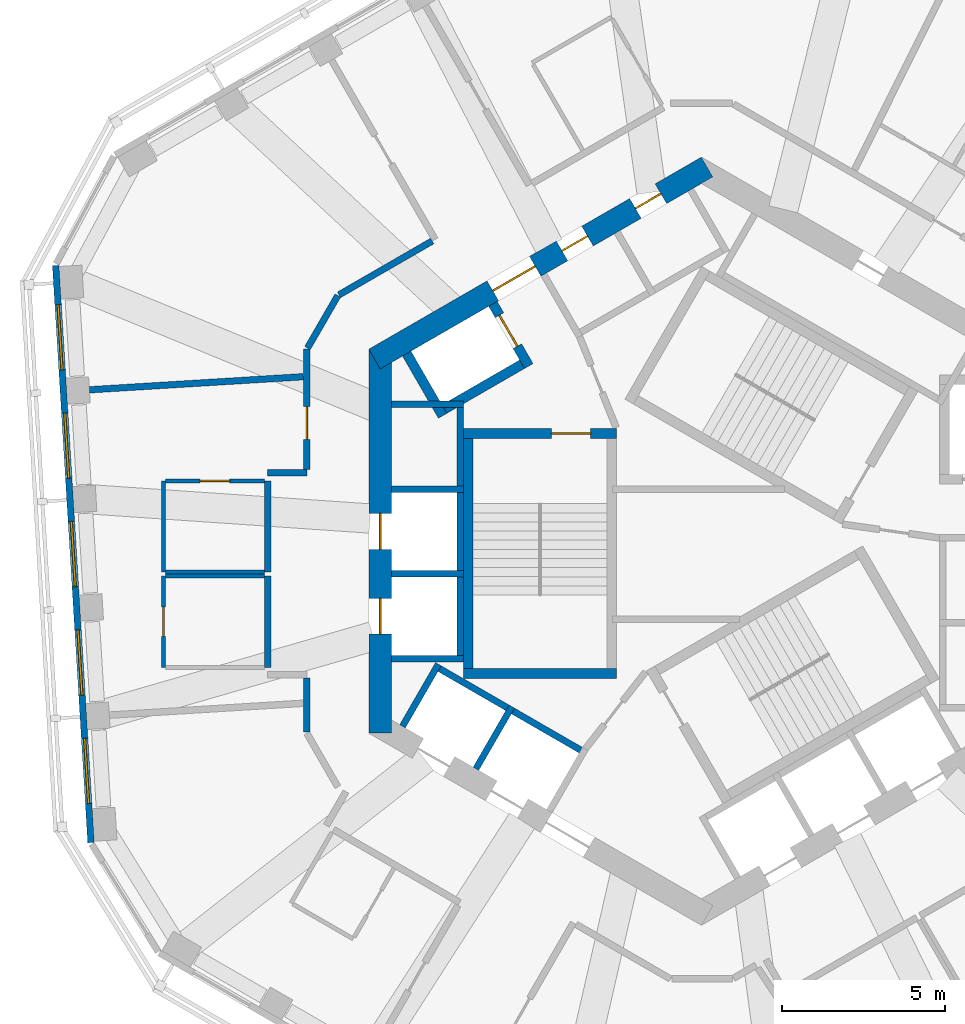
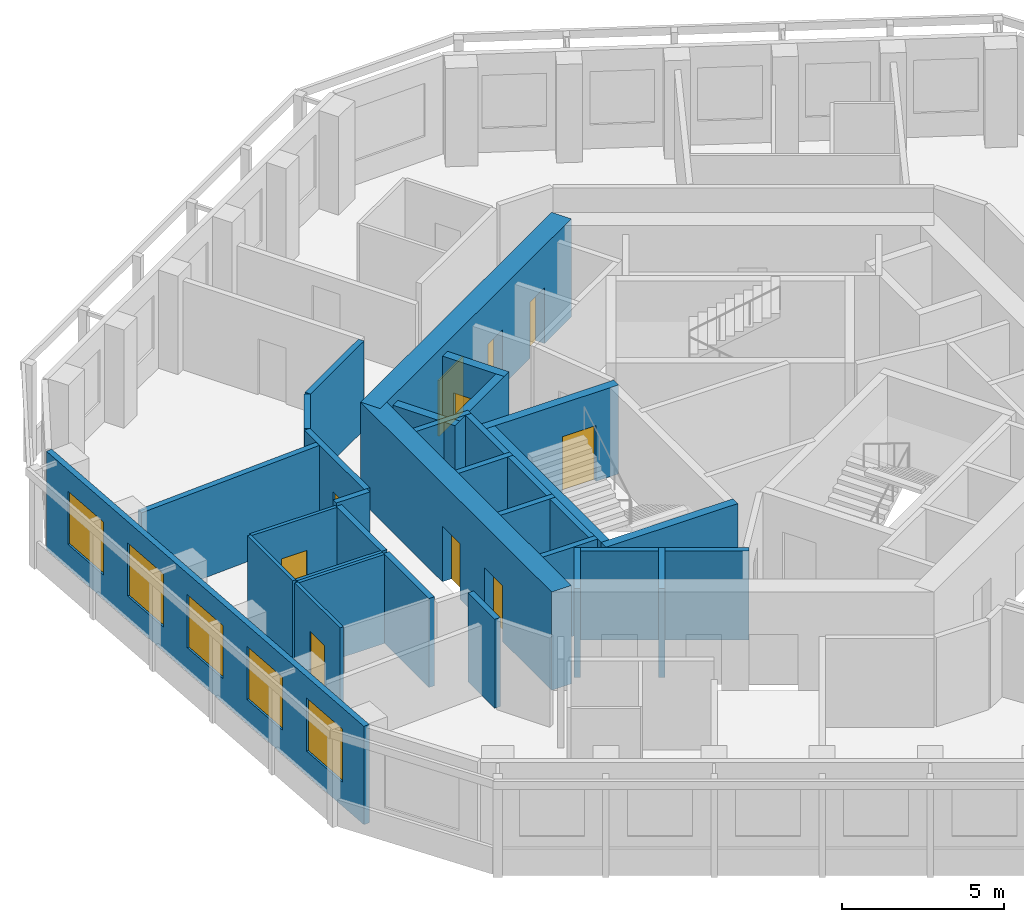
# One storey, part 5 of 11: 30 walls, 10 doors, 5 windows, 15 openings.
"""IFC4 building model written with IfcOpenShell, lengths in metres."""

import ifcopenshell
import ifcopenshell.guid

model = None  # the IFC model being written
_history = None  # IfcOwnerHistory: only IFC2X3 demands one
_inside = {}  # id of a spatial element -> (the spatial element, [elements in it])
_under = {}  # id of a project, library or spatial element -> (it, [spatial elements below it])
_declared = {}  # id of a project -> (the project, [libraries it declares])
_typed = {}  # id of a type object -> (the type object, [elements of that type])
_made_of = {}  # id of a material, layer set ... -> (it, [elements and type objects made of it])


def new_model(schema):
    """Start an empty IFC model of exactly this schema.

    Asked for "IFC4X3", IfcOpenShell would pick the latest addendum, in which some entities
    have other attributes; the version numbers below select the first issue.
    IFC2X3 requires an IfcOwnerHistory on every rooted entity: one is made here for all.
    """
    global model, _history
    if schema == "IFC4X3":
        model = ifcopenshell.file(schema_version=(4, 3, 0, 0))
    else:
        model = ifcopenshell.file(schema=schema)
    _inside.clear()
    _under.clear()
    _declared.clear()
    _typed.clear()
    _made_of.clear()
    _history = None
    if model.schema == "IFC2X3":
        org = make("IfcOrganization", Name="unknown")
        user = make(
            "IfcPersonAndOrganization",
            ThePerson=make("IfcPerson", FamilyName="unknown"),
            TheOrganization=org,
        )
        app = make(
            "IfcApplication",
            ApplicationDeveloper=org,
            Version="unknown",
            ApplicationFullName="unknown",
            ApplicationIdentifier="unknown",
        )
        _history = make(
            "IfcOwnerHistory",
            OwningUser=user,
            OwningApplication=app,
            ChangeAction="ADDED",
            CreationDate=0,
        )
    return model


def make(cls, **values):
    """One entity of the class cls with the attributes given. An attribute that is None is left unset."""
    return model.create_entity(
        cls, **{name: value for name, value in values.items() if value is not None}
    )


def rooted(cls, **values):
    """An entity with a GlobalId (a new one), such as an element, a storey or a relation."""
    return make(cls, GlobalId=ifcopenshell.guid.new(), OwnerHistory=_history, **values)


def si_unit(unit_type, name, prefix=None):
    """IfcSIUnit, for example si_unit("LENGTHUNIT", "METRE", prefix="MILLI")."""
    return make("IfcSIUnit", UnitType=unit_type, Prefix=prefix, Name=name)


def assignment(units):
    """IfcUnitAssignment: the units of a project."""
    return None if units is None else make("IfcUnitAssignment", Units=units)


def point(xyz):
    """IfcCartesianPoint."""
    return None if xyz is None else make("IfcCartesianPoint", Coordinates=xyz)


def direction(xyz):
    """IfcDirection."""
    return None if xyz is None else make("IfcDirection", DirectionRatios=xyz)


def frame(location, z_axis=None, x_axis=None):
    """IfcAxis2Placement3D, a coordinate frame: its origin and axes. An axis left out is left unset."""
    return make(
        "IfcAxis2Placement3D",
        Location=point(location),
        Axis=direction(z_axis),
        RefDirection=direction(x_axis),
    )


def frame_2d(location, x_axis=None):
    """IfcAxis2Placement2D, a coordinate frame in the plane: its origin and x axis."""
    return make(
        "IfcAxis2Placement2D", Location=point(location), RefDirection=direction(x_axis)
    )


def origin():
    """The frame at (0, 0, 0) with its axes left unset."""
    return frame((0.0, 0.0, 0.0))


def place(relative_to, where):
    """IfcLocalPlacement: puts the frame where relative to a parent placement (None: the world)."""
    return make(
        "IfcLocalPlacement", PlacementRelTo=relative_to, RelativePlacement=where
    )


def context(
    kind, dimensions, precision=None, world=None, true_north=None, identifier=None
):
    """IfcGeometricRepresentationContext, for example the 3D "Model" context."""
    return make(
        "IfcGeometricRepresentationContext",
        ContextIdentifier=identifier,
        ContextType=kind,
        CoordinateSpaceDimension=dimensions,
        Precision=precision,
        WorldCoordinateSystem=world,
        TrueNorth=true_north,
    )


def subcontext(parent, identifier, kind, view, scale=None):
    """IfcGeometricRepresentationSubContext, for example "Body" below "Model"."""
    return make(
        "IfcGeometricRepresentationSubContext",
        ContextIdentifier=identifier,
        ContextType=kind,
        ParentContext=parent,
        TargetScale=scale,
        TargetView=view,
    )


def project(units=None, contexts=None):
    """IfcProject with its units and contexts."""
    return rooted(
        "IfcProject",
        Name="project",
        RepresentationContexts=contexts,
        UnitsInContext=assignment(units),
    )


def spatial(cls, under=None, at=None, **own):
    """A site, building, storey or space (cls), placed at a placement, below another one or the project."""
    s = rooted(cls, ObjectPlacement=at, **own)
    if under is not None:
        _under.setdefault(under.id(), (under, []))[1].append(s)
    return s


def profile(cls, at=None, kind="AREA", **sizes):
    """A parametric profile (cls). Its sizes go by their IFC names, for example OverallWidth=200.0."""
    return make(cls, ProfileType=kind, Position=at, **sizes)


def rectangle(**sizes):
    """IfcRectangleProfileDef."""
    return profile("IfcRectangleProfileDef", **sizes)


def extrude(swept, where, along, depth):
    """IfcExtrudedAreaSolid: the profile swept, set in the frame where, extruded along a direction by depth."""
    return make(
        "IfcExtrudedAreaSolid",
        SweptArea=swept,
        Position=where,
        ExtrudedDirection=direction(along),
        Depth=depth,
    )


def shape(context_of_items, identifier, shape_type, items):
    """IfcShapeRepresentation: the items that make up one representation, for example the "Body"."""
    return make(
        "IfcShapeRepresentation",
        ContextOfItems=context_of_items,
        RepresentationIdentifier=identifier,
        RepresentationType=shape_type,
        Items=items,
    )


def material(Name=None, Category=None):
    """IfcMaterial."""
    return make("IfcMaterial", Name=Name, Category=Category)


def layer(
    of_material, thickness, ventilated=None, Name=None, Category=None, Priority=None
):
    """IfcMaterialLayer: one layer of a wall or slab, of a material (None: an air gap)."""
    return make(
        "IfcMaterialLayer",
        Material=of_material,
        LayerThickness=thickness,
        IsVentilated=ventilated,
        Name=Name,
        Category=Category,
        Priority=Priority,
    )


def layer_set(layers, Name=None):
    """IfcMaterialLayerSet."""
    return make("IfcMaterialLayerSet", MaterialLayers=layers, LayerSetName=Name)


def made_of(thing, what):
    """Note that an element or type object is made of a material, layer set ...; save() writes the relation."""
    if what is not None:
        _made_of.setdefault(what.id(), (what, []))[1].append(thing)
    return thing


def type_object(cls, material=None, **own):
    """A type object (cls), such as IfcWallType, which elements share."""
    return made_of(rooted(cls, **own), material)


def element(
    cls,
    number,
    at=None,
    inside=None,
    cuts=None,
    type_object=None,
    material=None,
    context=None,
    identifier="Body",
    shape_type=None,
    held_by="IfcProductDefinitionShape",
    body=None,
    shapes=None,
    **own,
):
    """One element of the class cls, such as IfcWall. Its Tag is "e" and its number.

    at: its placement. inside: the storey or other place that contains it. cuts: it is an
    opening in that element (IfcRelVoidsElement). A single representation is given by context,
    identifier, shape_type and body (its items); several are given by shapes. held_by: the class
    of the entity that holds the representations. save() writes the other relations.
    """
    e = rooted(cls, Tag="e%d" % number, ObjectPlacement=at, **own)
    if body is not None:
        shapes = [shape(context, identifier, shape_type, body)]
    if shapes is not None:
        e.Representation = make(held_by, Representations=shapes)
    if inside is not None:
        _inside.setdefault(inside.id(), (inside, []))[1].append(e)
    if cuts is not None:
        rooted(
            "IfcRelVoidsElement", RelatingBuildingElement=cuts, RelatedOpeningElement=e
        )
    if type_object is not None:
        _typed.setdefault(type_object.id(), (type_object, []))[1].append(e)
    return made_of(e, material)


def fill(opening, filler):
    """IfcRelFillsElement: the door or window that sits in an opening."""
    return rooted(
        "IfcRelFillsElement",
        RelatingOpeningElement=opening,
        RelatedBuildingElement=filler,
    )


def aggregate(whole, parts):
    """IfcRelAggregates: a whole, such as a stair, and the parts it consists of."""
    return rooted("IfcRelAggregates", RelatingObject=whole, RelatedObjects=parts)


def save(model, path):
    """Write the relations noted so far, then the file.

    IfcRelAggregates (storeys below a building ...), IfcRelContainedInSpatialStructure (elements
    in a storey), IfcRelDefinesByType, IfcRelAssociatesMaterial and IfcRelDeclares: one each for
    every whole, place, type object, material and project.
    """
    for whole, parts in _under.values():
        aggregate(whole, parts)
    for where, things in _inside.values():
        rooted(
            "IfcRelContainedInSpatialStructure",
            RelatedElements=things,
            RelatingStructure=where,
        )
    for kind, things in _typed.values():
        rooted("IfcRelDefinesByType", RelatedObjects=things, RelatingType=kind)
    for what, things in _made_of.values():
        rooted("IfcRelAssociatesMaterial", RelatedObjects=things, RelatingMaterial=what)
    for by, libraries in _declared.values():
        rooted("IfcRelDeclares", RelatingContext=by, RelatedDefinitions=libraries)
    model.write(path)


model = new_model("IFC4")

# Units and contexts
model_context = context("Model", 3, precision=1e-05, world=origin(), true_north=direction((0.0, 1.0)))
body_context = subcontext(model_context, "Body", "Model", "MODEL_VIEW")
ifc_project = project(units=[si_unit("LENGTHUNIT", "METRE"), si_unit("AREAUNIT", "SQUARE_METRE"), si_unit("VOLUMEUNIT", "CUBIC_METRE"), si_unit("PLANEANGLEUNIT", "RADIAN"), si_unit("MASSUNIT", "GRAM", prefix="KILO")], contexts=[model_context])

# Site, building, storey
site_placement = place(None, origin())
site = spatial("IfcSite", under=ifc_project, at=site_placement, CompositionType="ELEMENT")
building_placement = place(site_placement, origin())
building = spatial("IfcBuilding", under=site, at=building_placement, Name="Vanh Sen Convention Tower", CompositionType="ELEMENT")
storey_placement = place(building_placement, frame((0.0, 0.0, 274.60009765625)))
storey = spatial("IfcBuildingStorey", under=building, at=storey_placement, Name="L68", CompositionType="ELEMENT", Elevation=274.60009765625)

# Wall, opening, door
ifc_material_1 = material(Name="Moisture-resistant gypsum board on steel studs", Category="steel")
ifc_layer_1 = layer(ifc_material_1, 0.1201171875)
ifc_layer_set_1 = layer_set([ifc_layer_1], Name="Moisture-resistant gypsum board on steel studs")
wall_type_1 = type_object("IfcWallType", Name="Bathroom partition 120", PredefinedType="PARTITIONING", material=ifc_layer_set_1)
wall_1_placement = place(storey_placement, frame((-16.5009765625, -3.868896484375, 0.0), z_axis=(0.0, 0.0, 1.0), x_axis=(0.0, 1.0, 0.0)))
wall_1 = element("IfcWall", 1, at=wall_1_placement, inside=storey, type_object=wall_type_1, Name="Bathroom partition 120", PredefinedType="PARTITIONING", context=body_context, shape_type="SweptSolid", body=[
    extrude(rectangle(XDim=2.7998046875, YDim=0.1201171875, at=frame_2d((1.39990234375, 0.0))), origin(), (0.0, 0.0, 1.0), 3.349853515625),
])
opening_1_placement = place(wall_1_placement, frame((0.949951171875, 0.0, 0.0)))
opening_1 = element("IfcOpeningElement", 2, at=opening_1_placement, cuts=wall_1, Name="Opening D67111", PredefinedType="OPENING", context=body_context, shape_type="SweptSolid", body=[
    extrude(rectangle(XDim=0.89990234375, YDim=2.10009765625, at=frame_2d((0.449951171875, 1.050048828125))), frame((0.0, 0.070068359375, 0.0), z_axis=(0.0, -1.0, 0.0), x_axis=(1.0, 0.0, 0.0)), (0.0, 0.0, 1.0), 0.14013671875),
])
ifc_material_2 = material(Name="Laminate door in steel frame", Category="steel")
door_type_1 = type_object("IfcDoorType", Name="Room internal door 900", OperationType="SINGLE_SWING_LEFT", PredefinedType="DOOR", material=ifc_material_2)
door_1_placement = place(opening_1_placement, origin())
door_1 = element("IfcDoor", 3, at=door_1_placement, inside=storey, type_object=door_type_1, Name="Internal room door D67111", OperationType="SINGLE_SWING_LEFT", OverallHeight=2.10009765625, OverallWidth=0.89990234375, PredefinedType="DOOR", context=body_context, shape_type="SweptSolid", body=[
    extrude(rectangle(XDim=0.89990234375, YDim=2.10009765625, at=frame_2d((0.449951171875, 1.050048828125))), frame((0.0, 0.02490234375, 0.0), z_axis=(0.0, -1.0, 0.0), x_axis=(1.0, 0.0, 0.0)), (0.0, 0.0, 1.0), 0.050048828125),
])
fill(opening_1, door_1)

# Walls
wall_2_placement = place(storey_placement, frame((-16.5009765625, -0.948974609375, 0.0), z_axis=(0.0, 0.0, 1.0), x_axis=(0.0, 1.0, 0.0)))
element("IfcWall", 4, at=wall_2_placement, inside=storey, type_object=wall_type_1, Name="Bathroom partition 120", PredefinedType="PARTITIONING", context=body_context, shape_type="SweptSolid", body=[
    extrude(rectangle(XDim=2.800048828125, YDim=0.1201171875, at=frame_2d((1.39990234375, 0.0))), origin(), (0.0, 0.0, 1.0), 3.349853515625),
])
wall_3_placement = place(storey_placement, frame((-16.44091796875, -1.069091796875, 0.0), z_axis=(0.0, 0.0, 1.0), x_axis=(1.0, 0.0, 0.0)))
element("IfcWall", 5, at=wall_3_placement, inside=storey, type_object=wall_type_1, Name="Bathroom partition 120", PredefinedType="PARTITIONING", context=body_context, shape_type="SweptSolid", body=[
    extrude(rectangle(XDim=3.0400390625, YDim=0.1201171875, at=frame_2d((1.52001953125, 0.0))), origin(), (0.0, 0.0, 1.0), 3.349853515625),
])

# Wall, opening, door
wall_4_placement = place(storey_placement, frame((-16.44091796875, 1.85107421875, 0.0), z_axis=(0.0, 0.0, 1.0), x_axis=(1.0, 0.0, 0.0)))
wall_4 = element("IfcWall", 6, at=wall_4_placement, inside=storey, type_object=wall_type_1, Name="Bathroom partition 120", PredefinedType="PARTITIONING", context=body_context, shape_type="SweptSolid", body=[
    extrude(rectangle(XDim=3.0400390625, YDim=0.1201171875, at=frame_2d((1.52001953125, 0.0))), origin(), (0.0, 0.0, 1.0), 3.349853515625),
])
opening_2_placement = place(wall_4_placement, frame((1.070068359375, 0.0, 0.0)))
opening_2 = element("IfcOpeningElement", 7, at=opening_2_placement, cuts=wall_4, Name="Opening D67110", PredefinedType="OPENING", context=body_context, shape_type="SweptSolid", body=[
    extrude(rectangle(XDim=0.89990234375, YDim=2.10009765625, at=frame_2d((0.449951171875, 1.050048828125))), frame((0.0, 0.070068359375, 0.0), z_axis=(0.0, -1.0, 0.0), x_axis=(1.0, 0.0, 0.0)), (0.0, 0.0, 1.0), 0.14013671875),
])
door_2_placement = place(opening_2_placement, origin())
door_2 = element("IfcDoor", 8, at=door_2_placement, inside=storey, type_object=door_type_1, Name="Internal room door D67110", OperationType="SINGLE_SWING_LEFT", OverallHeight=2.10009765625, OverallWidth=0.89990234375, PredefinedType="DOOR", context=body_context, shape_type="SweptSolid", body=[
    extrude(rectangle(XDim=0.89990234375, YDim=2.10009765625, at=frame_2d((0.449951171875, 1.050048828125))), frame((0.0, 0.02490234375, 0.0), z_axis=(0.0, -1.0, 0.0), x_axis=(1.0, 0.0, 0.0)), (0.0, 0.0, 1.0), 0.050048828125),
])
fill(opening_2, door_2)

# Wall
wall_5_placement = place(storey_placement, frame((-13.40087890625, -0.948974609375, 0.0), z_axis=(0.0, 0.0, 1.0), x_axis=(-1.0, 0.0, 0.0)))
element("IfcWall", 9, at=wall_5_placement, inside=storey, type_object=wall_type_1, Name="Bathroom partition 120", PredefinedType="PARTITIONING", context=body_context, shape_type="SweptSolid", body=[
    extrude(rectangle(XDim=3.0400390625, YDim=0.1201171875, at=frame_2d((1.52001953125, 0.0))), origin(), (0.0, 0.0, 1.0), 3.349853515625),
])

# Wall, openings, doors
ifc_material_3 = material(Name="Concrete C60/75", Category="concrete")
ifc_layer_2 = layer(ifc_material_3, 0.699951171875)
ifc_layer_set_2 = layer_set([ifc_layer_2], Name="Concrete C60/75")
wall_type_2 = type_object("IfcWallType", Name="Core outer wall 700 C60/75", PredefinedType="SHEAR", material=ifc_layer_set_2)
wall_6_placement = place(storey_placement, frame((0.175048828125, 11.474853515625, 0.0), z_axis=(0.0, 0.0, 1.0), x_axis=(-0.866026453023, -0.499998182661, 0.0)))
wall_6 = element("IfcWall", 10, at=wall_6_placement, inside=storey, type_object=wall_type_2, Name="Core wall face NW L68", PredefinedType="SHEAR", context=body_context, shape_type="SweptSolid", body=[
    extrude(rectangle(XDim=11.77783203125, YDim=0.699951171875, at=frame_2d((5.888916015625, 0.0))), origin(), (0.0, 0.0, 1.0), 3.699951171875),
])
opening_3_placement = place(wall_6_placement, frame((6.089111328125, 0.0, 0.0)))
opening_3 = element("IfcOpeningElement", 11, at=opening_3_placement, cuts=wall_6, Name="Opening D67002", PredefinedType="OPENING", context=body_context, shape_type="SweptSolid", body=[
    extrude(rectangle(XDim=1.5, YDim=2.10009765625, at=frame_2d((0.75, 1.050048828125))), frame((0.0, 0.35986328125, 0.0), z_axis=(0.0, -1.0, 0.0), x_axis=(1.0, 0.0, 0.0)), (0.0, 0.0, 1.0), 0.719970703125),
])
opening_4_placement = place(wall_6_placement, frame((1.638916015625, 0.0, 0.0)))
opening_4 = element("IfcOpeningElement", 12, at=opening_4_placement, cuts=wall_6, Name="Opening D67013", PredefinedType="OPENING", context=body_context, shape_type="SweptSolid", body=[
    extrude(rectangle(XDim=0.89990234375, YDim=2.10009765625, at=frame_2d((0.449951171875, 1.050048828125))), frame((0.0, 0.35986328125, 0.0), z_axis=(0.0, -1.0, 0.0), x_axis=(1.0, 0.0, 0.0)), (0.0, 0.0, 1.0), 0.719970703125),
])
opening_5_placement = place(wall_6_placement, frame((4.239013671875, 0.0, 0.0)))
opening_5 = element("IfcOpeningElement", 13, at=opening_5_placement, cuts=wall_6, Name="Opening D67014", PredefinedType="OPENING", context=body_context, shape_type="SweptSolid", body=[
    extrude(rectangle(XDim=0.89990234375, YDim=2.10009765625, at=frame_2d((0.449951171875, 1.050048828125))), frame((0.0, 0.35986328125, 0.0), z_axis=(0.0, -1.0, 0.0), x_axis=(1.0, 0.0, 0.0)), (0.0, 0.0, 1.0), 0.719970703125),
])
ifc_material_4 = material(Name="Steel S355", Category="steel")
door_type_2 = type_object("IfcDoorType", Name="Plant door 900", OperationType="SINGLE_SWING_LEFT", PredefinedType="DOOR", material=ifc_material_4)
door_3_placement = place(opening_4_placement, origin())
door_3 = element("IfcDoor", 14, at=door_3_placement, inside=storey, type_object=door_type_2, Name="Plant door D67013", OperationType="SINGLE_SWING_LEFT", OverallHeight=2.10009765625, OverallWidth=0.89990234375, PredefinedType="DOOR", context=body_context, shape_type="SweptSolid", body=[
    extrude(rectangle(XDim=0.89990234375, YDim=2.10009765625, at=frame_2d((0.449951171875, 1.050048828125))), frame((0.0, 0.02490234375, 0.0), z_axis=(0.0, -1.0, 0.0), x_axis=(1.0, 0.0, 0.0)), (0.0, 0.0, 1.0), 0.050048828125),
])
fill(opening_4, door_3)
door_4_placement = place(opening_5_placement, origin())
door_4 = element("IfcDoor", 15, at=door_4_placement, inside=storey, type_object=door_type_2, Name="Plant door D67014", OperationType="SINGLE_SWING_LEFT", OverallHeight=2.10009765625, OverallWidth=0.89990234375, PredefinedType="DOOR", context=body_context, shape_type="SweptSolid", body=[
    extrude(rectangle(XDim=0.89990234375, YDim=2.10009765625, at=frame_2d((0.449951171875, 1.050048828125))), frame((0.0, 0.02490234375, 0.0), z_axis=(0.0, -1.0, 0.0), x_axis=(1.0, 0.0, 0.0)), (0.0, 0.0, 1.0), 0.050048828125),
])
fill(opening_5, door_4)
door_type_3 = type_object("IfcDoorType", Name="Stair lobby door 1500", OperationType="DOUBLE_DOOR_SINGLE_SWING", PredefinedType="DOOR", material=ifc_material_4)
door_5_placement = place(opening_3_placement, origin())
door_5 = element("IfcDoor", 16, at=door_5_placement, inside=storey, type_object=door_type_3, Name="Stair lobby door D67002", OperationType="DOUBLE_DOOR_SINGLE_SWING", OverallHeight=2.10009765625, OverallWidth=1.5, PredefinedType="DOOR", context=body_context, shape_type="SweptSolid", body=[
    extrude(rectangle(XDim=1.5, YDim=2.10009765625, at=frame_2d((0.75, 1.050048828125))), frame((0.0, 0.02490234375, 0.0), z_axis=(0.0, -1.0, 0.0), x_axis=(1.0, 0.0, 0.0)), (0.0, 0.0, 1.0), 0.050048828125),
])
fill(opening_3, door_5)

wall_7_placement = place(storey_placement, frame((-9.85009765625, 5.888916015625, 0.0), z_axis=(0.0, 0.0, 1.0), x_axis=(0.0, -1.0, 0.0)))
wall_7 = element("IfcWall", 17, at=wall_7_placement, inside=storey, type_object=wall_type_2, Name="Core wall face W L68", PredefinedType="SHEAR", context=body_context, shape_type="SweptSolid", body=[
    extrude(rectangle(XDim=11.77783203125, YDim=0.699951171875, at=frame_2d((5.888916015625, 0.0))), origin(), (0.0, 0.0, 1.0), 3.699951171875),
])
opening_6_placement = place(wall_7_placement, frame((5.0390625, 0.0, 0.0)))
opening_6 = element("IfcOpeningElement", 18, at=opening_6_placement, cuts=wall_7, Name="Opening LD-HR1", PredefinedType="OPENING", context=body_context, shape_type="SweptSolid", body=[
    extrude(rectangle(XDim=1.10009765625, YDim=2.10009765625, at=frame_2d((0.550048828125, 1.050048828125))), frame((0.0, 0.35986328125, 0.0), z_axis=(0.0, -1.0, 0.0), x_axis=(1.0, 0.0, 0.0)), (0.0, 0.0, 1.0), 0.719970703125),
])
opening_7_placement = place(wall_7_placement, frame((7.638916015625, 0.0, 0.0)))
opening_7 = element("IfcOpeningElement", 19, at=opening_7_placement, cuts=wall_7, Name="Opening LD-HR2", PredefinedType="OPENING", context=body_context, shape_type="SweptSolid", body=[
    extrude(rectangle(XDim=1.10009765625, YDim=2.10009765625, at=frame_2d((0.550048828125, 1.050048828125))), frame((0.0, 0.35986328125, 0.0), z_axis=(0.0, -1.0, 0.0), x_axis=(1.0, 0.0, 0.0)), (0.0, 0.0, 1.0), 0.719970703125),
])
ifc_material_5 = material(Name="Stainless steel", Category="steel")
door_type_4 = type_object("IfcDoorType", Name="Lift landing door 1100", OperationType="DOUBLE_DOOR_SLIDING", PredefinedType="DOOR", material=ifc_material_5)
door_6_placement = place(opening_6_placement, origin())
door_6 = element("IfcDoor", 20, at=door_6_placement, inside=storey, type_object=door_type_4, Name="Lift HR1 landing door LD-HR1", OperationType="DOUBLE_DOOR_SLIDING", OverallHeight=2.10009765625, OverallWidth=1.10009765625, PredefinedType="DOOR", context=body_context, shape_type="SweptSolid", body=[
    extrude(rectangle(XDim=1.10009765625, YDim=2.10009765625, at=frame_2d((0.550048828125, 1.050048828125))), frame((0.0, 0.02490234375, 0.0), z_axis=(0.0, -1.0, 0.0), x_axis=(1.0, 0.0, 0.0)), (0.0, 0.0, 1.0), 0.050048828125),
])
fill(opening_6, door_6)
door_7_placement = place(opening_7_placement, origin())
door_7 = element("IfcDoor", 21, at=door_7_placement, inside=storey, type_object=door_type_4, Name="Lift HR2 landing door LD-HR2", OperationType="DOUBLE_DOOR_SLIDING", OverallHeight=2.10009765625, OverallWidth=1.10009765625, PredefinedType="DOOR", context=body_context, shape_type="SweptSolid", body=[
    extrude(rectangle(XDim=1.10009765625, YDim=2.10009765625, at=frame_2d((0.550048828125, 1.050048828125))), frame((0.0, 0.02490234375, 0.0), z_axis=(0.0, -1.0, 0.0), x_axis=(1.0, 0.0, 0.0)), (0.0, 0.0, 1.0), 0.050048828125),
])
fill(opening_7, door_7)

# Walls
ifc_material_6 = material(Name="Gypsum board on steel studs with mineral wool", Category="steel")
ifc_layer_3 = layer(ifc_material_6, 0.199951171875)
ifc_layer_set_3 = layer_set([ifc_layer_3], Name="Gypsum board on steel studs with mineral wool")
wall_type_3 = type_object("IfcWallType", Name="Corridor partition wall 200", PredefinedType="PARTITIONING", material=ifc_layer_set_3)
wall_8_placement = place(storey_placement, frame((-13.301025390625, -1.069091796875, 0.0), z_axis=(0.0, 0.0, 1.0), x_axis=(0.0, -1.0, 0.0)))
element("IfcWall", 22, at=wall_8_placement, inside=storey, type_object=wall_type_3, Name="Corridor partition wall 200", PredefinedType="PARTITIONING", context=body_context, shape_type="SweptSolid", body=[
    extrude(rectangle(XDim=2.7998046875, YDim=0.199951171875, at=frame_2d((1.39990234375, 0.0))), origin(), (0.0, 0.0, 1.0), 3.349853515625),
])
wall_9_placement = place(storey_placement, frame((-13.301025390625, 1.85107421875, 0.0), z_axis=(0.0, 0.0, 1.0), x_axis=(0.0, -1.0, 0.0)))
element("IfcWall", 23, at=wall_9_placement, inside=storey, type_object=wall_type_3, Name="Corridor partition wall 200", PredefinedType="PARTITIONING", context=body_context, shape_type="SweptSolid", body=[
    extrude(rectangle(XDim=2.800048828125, YDim=0.199951171875, at=frame_2d((1.39990234375, 0.0))), origin(), (0.0, 0.0, 1.0), 3.349853515625),
])
wall_10_placement = place(storey_placement, frame((-12.10009765625, -4.200927734375, 0.0), z_axis=(0.0, 0.0, 1.0), x_axis=(0.0, -1.0, 0.0)))
element("IfcWall", 24, at=wall_10_placement, inside=storey, type_object=wall_type_3, Name="Corridor partition wall 200", PredefinedType="PARTITIONING", context=body_context, shape_type="SweptSolid", body=[
    extrude(rectangle(XDim=1.648193359375, YDim=0.199951171875, at=frame_2d((0.82421875, 0.0))), origin(), (0.0, 0.0, 1.0), 3.349853515625),
])
wall_11_placement = place(storey_placement, frame((-12.10009765625, 2.10107421875, 0.0), z_axis=(0.0, 0.0, 1.0), x_axis=(-1.0, 0.0, 0.0)))
element("IfcWall", 25, at=wall_11_placement, inside=storey, type_object=wall_type_3, Name="Corridor partition wall 200", PredefinedType="PARTITIONING", context=body_context, shape_type="SweptSolid", body=[
    extrude(rectangle(XDim=1.200927734375, YDim=0.199951171875, at=frame_2d((0.6005859375, 0.0))), origin(), (0.0, 0.0, 1.0), 3.349853515625),
])

# Wall, opening, door
wall_12_placement = place(storey_placement, frame((-12.10009765625, 5.888916015625, 0.0), z_axis=(0.0, 0.0, 1.0), x_axis=(0.0, -1.0, 0.0)))
wall_12 = element("IfcWall", 26, at=wall_12_placement, inside=storey, type_object=wall_type_3, Name="Corridor partition wall 200", PredefinedType="PARTITIONING", context=body_context, shape_type="SweptSolid", body=[
    extrude(rectangle(XDim=3.68798828125, YDim=0.199951171875, at=frame_2d((1.843994140625, 0.0))), origin(), (0.0, 0.0, 1.0), 3.349853515625),
])
opening_8_placement = place(wall_12_placement, frame((1.76318359375, 0.0, 0.0)))
opening_8 = element("IfcOpeningElement", 27, at=opening_8_placement, cuts=wall_12, Name="Opening D67109", PredefinedType="OPENING", context=body_context, shape_type="SweptSolid", body=[
    extrude(rectangle(XDim=1.0, YDim=2.10009765625, at=frame_2d((0.5, 1.050048828125))), frame((0.0, 0.10986328125, 0.0), z_axis=(0.0, -1.0, 0.0), x_axis=(1.0, 0.0, 0.0)), (0.0, 0.0, 1.0), 0.219970703125),
])
ifc_material_7 = material(Name="Glazed fire door in steel frame", Category="steel")
door_type_5 = type_object("IfcDoorType", Name="Tenant entrance door 1000", OperationType="SINGLE_SWING_LEFT", PredefinedType="DOOR", material=ifc_material_7)
door_8_placement = place(opening_8_placement, origin())
door_8 = element("IfcDoor", 28, at=door_8_placement, inside=storey, type_object=door_type_5, Name="Tenant suite entrance door D67109", OperationType="SINGLE_SWING_LEFT", OverallHeight=2.10009765625, OverallWidth=1.0, PredefinedType="DOOR", context=body_context, shape_type="SweptSolid", body=[
    extrude(rectangle(XDim=1.0, YDim=2.10009765625, at=frame_2d((0.5, 1.050048828125))), frame((0.0, 0.02490234375, 0.0), z_axis=(0.0, -1.0, 0.0), x_axis=(1.0, 0.0, 0.0)), (0.0, 0.0, 1.0), 0.050048828125),
])
fill(opening_8, door_8)

# Walls
wall_13_placement = place(storey_placement, frame((-11.14990234375, 7.534423828125, 0.0), z_axis=(0.0, 0.0, 1.0), x_axis=(-0.500063286585, -0.865988862174, 0.0)))
element("IfcWall", 29, at=wall_13_placement, inside=storey, type_object=wall_type_3, Name="Corridor partition wall 200", PredefinedType="PARTITIONING", context=body_context, shape_type="SweptSolid", body=[
    extrude(rectangle(XDim=1.860107421875, YDim=0.199951171875, at=frame_2d((0.93017578125, 0.0))), origin(), (0.0, 0.0, 1.0), 3.349853515625),
])
wall_14_placement = place(storey_placement, frame((-8.2568359375, 9.204833984375, 0.0), z_axis=(0.0, 0.0, 1.0), x_axis=(-0.866031626602, -0.49998922161, 0.0)))
element("IfcWall", 30, at=wall_14_placement, inside=storey, type_object=wall_type_3, Name="Corridor partition wall 200", PredefinedType="PARTITIONING", context=body_context, shape_type="SweptSolid", body=[
    extrude(rectangle(XDim=3.30078125, YDim=0.199951171875, at=frame_2d((1.650390625, 0.0))), origin(), (0.0, 0.0, 1.0), 3.349853515625),
])

# Wall, openings, windows
ifc_material_8 = material(Name="Insulated lightweight infill wall")
ifc_layer_4 = layer(ifc_material_8, 0.199951171875)
ifc_layer_set_4 = layer_set([ifc_layer_4], Name="Insulated lightweight infill wall")
wall_type_4 = type_object("IfcWallType", Name="External wall 200", PredefinedType="STANDARD", material=ifc_layer_set_4)
wall_15_placement = place(storey_placement, frame((-19.802978515625, 8.4541015625, 0.0), z_axis=(0.0, 0.0, 1.0), x_axis=(0.061036717565, -0.998135521414, 0.0)))
wall_15 = element("IfcWall", 31, at=wall_15_placement, inside=storey, type_object=wall_type_4, Name="External wall W L68", PredefinedType="STANDARD", context=body_context, shape_type="SweptSolid", body=[
    extrude(rectangle(XDim=17.7314453125, YDim=0.199951171875, at=frame_2d((8.86572265625, 0.0))), origin(), (0.0, 0.0, 1.0), 3.699951171875),
])
opening_9_placement = place(wall_15_placement, frame((1.20166015625, 0.0, 0.89990234375)))
opening_9 = element("IfcOpeningElement", 32, at=opening_9_placement, cuts=wall_15, Name="Opening WO5-W1", PredefinedType="OPENING", context=body_context, shape_type="SweptSolid", body=[
    extrude(rectangle(XDim=2.0, YDim=2.0, at=frame_2d((1.0, 1.0))), frame((0.0, 0.10986328125, 0.0), z_axis=(0.0, -1.0, 0.0), x_axis=(1.0, 0.0, 0.0)), (0.0, 0.0, 1.0), 0.219970703125),
])
opening_10_placement = place(wall_15_placement, frame((4.533203125, 0.0, 0.89990234375)))
opening_10 = element("IfcOpeningElement", 33, at=opening_10_placement, cuts=wall_15, Name="Opening WO5-W2", PredefinedType="OPENING", context=body_context, shape_type="SweptSolid", body=[
    extrude(rectangle(XDim=2.0, YDim=2.0, at=frame_2d((1.0, 1.0))), frame((0.0, 0.10986328125, 0.0), z_axis=(0.0, -1.0, 0.0), x_axis=(1.0, 0.0, 0.0)), (0.0, 0.0, 1.0), 0.219970703125),
])
opening_11_placement = place(wall_15_placement, frame((7.864990234375, 0.0, 0.89990234375)))
opening_11 = element("IfcOpeningElement", 34, at=opening_11_placement, cuts=wall_15, Name="Opening WO5-W3", PredefinedType="OPENING", context=body_context, shape_type="SweptSolid", body=[
    extrude(rectangle(XDim=2.0, YDim=2.0, at=frame_2d((1.0, 1.0))), frame((0.0, 0.10986328125, 0.0), z_axis=(0.0, -1.0, 0.0), x_axis=(1.0, 0.0, 0.0)), (0.0, 0.0, 1.0), 0.219970703125),
])
opening_12_placement = place(wall_15_placement, frame((11.196533203125, 0.0, 0.89990234375)))
opening_12 = element("IfcOpeningElement", 35, at=opening_12_placement, cuts=wall_15, Name="Opening WO5-W4", PredefinedType="OPENING", context=body_context, shape_type="SweptSolid", body=[
    extrude(rectangle(XDim=2.0, YDim=2.0, at=frame_2d((1.0, 1.0))), frame((0.0, 0.10986328125, 0.0), z_axis=(0.0, -1.0, 0.0), x_axis=(1.0, 0.0, 0.0)), (0.0, 0.0, 1.0), 0.219970703125),
])
opening_13_placement = place(wall_15_placement, frame((14.5283203125, 0.0, 0.89990234375)))
opening_13 = element("IfcOpeningElement", 36, at=opening_13_placement, cuts=wall_15, Name="Opening WO5-W5", PredefinedType="OPENING", context=body_context, shape_type="SweptSolid", body=[
    extrude(rectangle(XDim=2.0, YDim=2.0, at=frame_2d((1.0, 1.0))), frame((0.0, 0.10986328125, 0.0), z_axis=(0.0, -1.0, 0.0), x_axis=(1.0, 0.0, 0.0)), (0.0, 0.0, 1.0), 0.219970703125),
])
ifc_material_9 = material(Name="Aluminium frame with clear low-emissivity glass", Category="aluminium")
window_type = type_object("IfcWindowType", Name="Office window 2000 x 2000", PartitioningType="SINGLE_PANEL", PredefinedType="WINDOW", material=ifc_material_9)
window_1_placement = place(opening_9_placement, origin())
window_1 = element("IfcWindow", 37, at=window_1_placement, inside=storey, type_object=window_type, Name="Window WO5-W1", OverallHeight=2.0, OverallWidth=2.0, PartitioningType="SINGLE_PANEL", PredefinedType="WINDOW", context=body_context, shape_type="SweptSolid", body=[
    extrude(rectangle(XDim=2.0, YDim=2.0, at=frame_2d((1.0, 1.0))), frame((0.0, 0.030029296875, 0.0), z_axis=(0.0, -1.0, 0.0), x_axis=(1.0, 0.0, 0.0)), (0.0, 0.0, 1.0), 0.06005859375),
])
fill(opening_9, window_1)
window_2_placement = place(opening_10_placement, origin())
window_2 = element("IfcWindow", 38, at=window_2_placement, inside=storey, type_object=window_type, Name="Window WO5-W2", OverallHeight=2.0, OverallWidth=2.0, PartitioningType="SINGLE_PANEL", PredefinedType="WINDOW", context=body_context, shape_type="SweptSolid", body=[
    extrude(rectangle(XDim=2.0, YDim=2.0, at=frame_2d((1.0, 1.0))), frame((0.0, 0.030029296875, 0.0), z_axis=(0.0, -1.0, 0.0), x_axis=(1.0, 0.0, 0.0)), (0.0, 0.0, 1.0), 0.06005859375),
])
fill(opening_10, window_2)
window_3_placement = place(opening_11_placement, origin())
window_3 = element("IfcWindow", 39, at=window_3_placement, inside=storey, type_object=window_type, Name="Window WO5-W3", OverallHeight=2.0, OverallWidth=2.0, PartitioningType="SINGLE_PANEL", PredefinedType="WINDOW", context=body_context, shape_type="SweptSolid", body=[
    extrude(rectangle(XDim=2.0, YDim=2.0, at=frame_2d((1.0, 1.0))), frame((0.0, 0.030029296875, 0.0), z_axis=(0.0, -1.0, 0.0), x_axis=(1.0, 0.0, 0.0)), (0.0, 0.0, 1.0), 0.06005859375),
])
fill(opening_11, window_3)
window_4_placement = place(opening_12_placement, origin())
window_4 = element("IfcWindow", 40, at=window_4_placement, inside=storey, type_object=window_type, Name="Window WO5-W4", OverallHeight=2.0, OverallWidth=2.0, PartitioningType="SINGLE_PANEL", PredefinedType="WINDOW", context=body_context, shape_type="SweptSolid", body=[
    extrude(rectangle(XDim=2.0, YDim=2.0, at=frame_2d((1.0, 1.0))), frame((0.0, 0.030029296875, 0.0), z_axis=(0.0, -1.0, 0.0), x_axis=(1.0, 0.0, 0.0)), (0.0, 0.0, 1.0), 0.06005859375),
])
fill(opening_12, window_4)
window_5_placement = place(opening_13_placement, origin())
window_5 = element("IfcWindow", 41, at=window_5_placement, inside=storey, type_object=window_type, Name="Window WO5-W5", OverallHeight=2.0, OverallWidth=2.0, PartitioningType="SINGLE_PANEL", PredefinedType="WINDOW", context=body_context, shape_type="SweptSolid", body=[
    extrude(rectangle(XDim=2.0, YDim=2.0, at=frame_2d((1.0, 1.0))), frame((0.0, 0.030029296875, 0.0), z_axis=(0.0, -1.0, 0.0), x_axis=(1.0, 0.0, 0.0)), (0.0, 0.0, 1.0), 0.06005859375),
])
fill(opening_13, window_5)

# Wall, opening, door
ifc_layer_5 = layer(ifc_material_3, 0.300048828125)
ifc_layer_set_5 = layer_set([ifc_layer_5], Name="Concrete C60/75")
wall_type_5 = type_object("IfcWallType", Name="Fire-fighting lift shaft wall 300", PredefinedType="SHEAR", material=ifc_layer_set_5)
wall_16_placement = place(storey_placement, frame((-5.29541015625, 5.3720703125, 0.0), z_axis=(0.0, 0.0, 1.0), x_axis=(-0.500077893725, 0.86598042715, 0.0)))
wall_16 = element("IfcWall", 42, at=wall_16_placement, inside=storey, type_object=wall_type_5, Name="Fire-fighting lift shaft wall L68", PredefinedType="SHEAR", context=body_context, shape_type="SweptSolid", body=[
    extrude(rectangle(XDim=2.199951171875, YDim=0.300048828125, at=frame_2d((1.10009765625, 0.0))), origin(), (0.0, 0.0, 1.0), 3.349853515625),
])
opening_14_placement = place(wall_16_placement, frame((0.699951171875, 0.0, 0.0)))
opening_14 = element("IfcOpeningElement", 43, at=opening_14_placement, cuts=wall_16, Name="Opening LD-FF2", PredefinedType="OPENING", context=body_context, shape_type="SweptSolid", body=[
    extrude(rectangle(XDim=1.10009765625, YDim=2.10009765625, at=frame_2d((0.550048828125, 1.050048828125))), frame((0.0, 0.159912109375, 0.0), z_axis=(0.0, -1.0, 0.0), x_axis=(1.0, 0.0, 0.0)), (0.0, 0.0, 1.0), 0.320068359375),
])
door_type_6 = type_object("IfcDoorType", Name="Fire-fighting lift landing door 1100", OperationType="DOUBLE_DOOR_SLIDING", PredefinedType="DOOR", material=ifc_material_5)
door_9_placement = place(opening_14_placement, origin())
door_9 = element("IfcDoor", 44, at=door_9_placement, inside=storey, type_object=door_type_6, Name="Lift FF2 landing door LD-FF2", OperationType="DOUBLE_DOOR_SLIDING", OverallHeight=2.10009765625, OverallWidth=1.10009765625, PredefinedType="DOOR", context=body_context, shape_type="SweptSolid", body=[
    extrude(rectangle(XDim=1.10009765625, YDim=2.10009765625, at=frame_2d((0.550048828125, 1.050048828125))), frame((0.0, 0.02490234375, 0.0), z_axis=(0.0, -1.0, 0.0), x_axis=(1.0, 0.0, 0.0)), (0.0, 0.0, 1.0), 0.050048828125),
])
fill(opening_14, door_9)

# Walls
wall_17_placement = place(storey_placement, frame((-5.240478515625, 5.576904296875, 0.0), z_axis=(0.0, 0.0, 1.0), x_axis=(-0.866014461049, -0.500018952895, 0.0)))
element("IfcWall", 45, at=wall_17_placement, inside=storey, type_object=wall_type_5, Name="Fire-fighting lift shaft wall L68", PredefinedType="SHEAR", context=body_context, shape_type="SweptSolid", body=[
    extrude(rectangle(XDim=3.349853515625, YDim=0.300048828125, at=frame_2d((1.6748046875, 0.0))), origin(), (0.0, 0.0, 1.0), 3.349853515625),
])
wall_18_placement = place(storey_placement, frame((-7.936767578125, 3.846923828125, 0.0), z_axis=(0.0, 0.0, 1.0), x_axis=(-0.50002983664, 0.866008176907, 0.0)))
element("IfcWall", 46, at=wall_18_placement, inside=storey, type_object=wall_type_5, Name="Fire-fighting lift shaft wall L68", PredefinedType="SHEAR", context=body_context, shape_type="SweptSolid", body=[
    extrude(rectangle(XDim=2.199951171875, YDim=0.300048828125, at=frame_2d((1.10009765625, 0.0))), origin(), (0.0, 0.0, 1.0), 3.349853515625),
])
ifc_material_10 = material(Name="Concrete C40/50", Category="concrete")
ifc_layer_6 = layer(ifc_material_10, 0.199951171875)
ifc_layer_set_6 = layer_set([ifc_layer_6], Name="Concrete C40/50")
wall_type_6 = type_object("IfcWallType", Name="Lift shaft wall 200", PredefinedType="PARTITIONING", material=ifc_layer_set_6)
wall_19_placement = place(storey_placement, frame((-7.39990234375, 4.300048828125, 0.0), z_axis=(0.0, 0.0, 1.0), x_axis=(0.0, -1.0, 0.0)))
element("IfcWall", 47, at=wall_19_placement, inside=storey, type_object=wall_type_6, Name="Lift shaft wall L68", PredefinedType="PARTITIONING", context=body_context, shape_type="SweptSolid", body=[
    extrude(rectangle(XDim=8.0, YDim=0.199951171875, at=frame_2d((4.0, 0.0))), origin(), (0.0, 0.0, 1.0), 3.349853515625),
])
for number, where, z_axis, x_axis, name in (
    (48, (-7.300048828125, 4.199951171875, 0.0), (0.0, 0.0, 1.0), (-1.0, 0.0, 0.0), "Lift shaft wall L68"),
    (49, (-7.300048828125, 1.60009765625, 0.0), (0.0, 0.0, 1.0), (-1.0, 0.0, 0.0), "Lift shaft wall L68"),
    (50, (-7.300048828125, -1.0, 0.0), (0.0, 0.0, 1.0), (-1.0, 0.0, 0.0), "Lift shaft wall L68"),
    (51, (-7.300048828125, -3.60009765625, 0.0), (0.0, 0.0, 1.0), (-1.0, 0.0, 0.0), "Lift shaft wall L68"),
):
    element("IfcWall", number, at=place(storey_placement, frame(where, z_axis=z_axis, x_axis=x_axis)), inside=storey, type_object=wall_type_6, Name=name, PredefinedType="PARTITIONING", context=body_context, shape_type="SweptSolid", body=[
        extrude(rectangle(XDim=2.199951171875, YDim=0.199951171875, at=frame_2d((1.10009765625, 0.0))), origin(), (0.0, 0.0, 1.0), 3.349853515625),
    ])
wall_20_placement = place(storey_placement, frame((-8.203369140625, -3.80859375, 0.0), z_axis=(0.0, 0.0, 1.0), x_axis=(0.866028230842, -0.499995103361, 0.0)))
element("IfcWall", 52, at=wall_20_placement, inside=storey, type_object=wall_type_6, Name="Lift shaft wall L68", PredefinedType="PARTITIONING", context=body_context, shape_type="SweptSolid", body=[
    extrude(rectangle(XDim=5.39990234375, YDim=0.199951171875, at=frame_2d((2.699951171875, 0.0))), origin(), (0.0, 0.0, 1.0), 3.349853515625),
])
for number, where, z_axis, x_axis, name in (
    (53, (-8.066650390625, -3.77197265625, 0.0), (0.0, 0.0, 1.0), (-0.50002983664, -0.866008176907, 0.0), "Lift shaft wall L68"),
    (54, (-5.815185546875, -5.072021484375, 0.0), (0.0, 0.0, 1.0), (-0.499946605688, -0.86605622881, 0.0), "Lift shaft wall L68"),
):
    element("IfcWall", number, at=place(storey_placement, frame(where, z_axis=z_axis, x_axis=x_axis)), inside=storey, type_object=wall_type_6, Name=name, PredefinedType="PARTITIONING", context=body_context, shape_type="SweptSolid", body=[
        extrude(rectangle(XDim=2.199951171875, YDim=0.199951171875, at=frame_2d((1.10009765625, 0.0))), origin(), (0.0, 0.0, 1.0), 3.349853515625),
    ])

# Wall, opening, door
ifc_layer_7 = layer(ifc_material_3, 0.300048828125)
ifc_layer_set_7 = layer_set([ifc_layer_7], Name="Concrete C60/75")
wall_type_7 = type_object("IfcWallType", Name="Stair wall 300", PredefinedType="SHEAR", material=ifc_layer_set_7)
wall_21_placement = place(storey_placement, frame((-2.60009765625, 3.300048828125, 0.0), z_axis=(0.0, 0.0, 1.0), x_axis=(-1.0, 0.0, 0.0)))
wall_21 = element("IfcWall", 55, at=wall_21_placement, inside=storey, type_object=wall_type_7, Name="Stair wall L68", PredefinedType="SHEAR", context=body_context, shape_type="SweptSolid", body=[
    extrude(rectangle(XDim=4.699951171875, YDim=0.300048828125, at=frame_2d((2.35009765625, 0.0))), origin(), (0.0, 0.0, 1.0), 3.349853515625),
])
opening_15_placement = place(wall_21_placement, frame((0.800048828125, 0.0, 0.0)))
opening_15 = element("IfcOpeningElement", 56, at=opening_15_placement, cuts=wall_21, Name="Opening D67005", PredefinedType="OPENING", context=body_context, shape_type="SweptSolid", body=[
    extrude(rectangle(XDim=1.199951171875, YDim=2.10009765625, at=frame_2d((0.60009765625, 1.050048828125))), frame((0.0, 0.159912109375, 0.0), z_axis=(0.0, -1.0, 0.0), x_axis=(1.0, 0.0, 0.0)), (0.0, 0.0, 1.0), 0.320068359375),
])
door_type_7 = type_object("IfcDoorType", Name="Stair door 1200", OperationType="SINGLE_SWING_RIGHT", PredefinedType="DOOR", material=ifc_material_4)
door_10_placement = place(opening_15_placement, origin())
door_10 = element("IfcDoor", 57, at=door_10_placement, inside=storey, type_object=door_type_7, Name="Stair ST2 door D67005", OperationType="SINGLE_SWING_RIGHT", OverallHeight=2.10009765625, OverallWidth=1.199951171875, PredefinedType="DOOR", context=body_context, shape_type="SweptSolid", body=[
    extrude(rectangle(XDim=1.199951171875, YDim=2.10009765625, at=frame_2d((0.60009765625, 1.050048828125))), frame((0.0, 0.02490234375, 0.0), z_axis=(0.0, -1.0, 0.0), x_axis=(1.0, 0.0, 0.0)), (0.0, 0.0, 1.0), 0.050048828125),
])
fill(opening_15, door_10)

# Walls
wall_22_placement = place(storey_placement, frame((-2.60009765625, -4.06005859375, 0.0), z_axis=(0.0, 0.0, 1.0), x_axis=(-1.0, 0.0, 0.0)))
element("IfcWall", 58, at=wall_22_placement, inside=storey, type_object=wall_type_7, Name="Stair wall L68", PredefinedType="SHEAR", context=body_context, shape_type="SweptSolid", body=[
    extrude(rectangle(XDim=4.699951171875, YDim=0.300048828125, at=frame_2d((2.35009765625, 0.0))), origin(), (0.0, 0.0, 1.0), 3.349853515625),
])
wall_23_placement = place(storey_placement, frame((-7.14990234375, 3.14990234375, 0.0), z_axis=(0.0, 0.0, 1.0), x_axis=(0.0, -1.0, 0.0)))
element("IfcWall", 59, at=wall_23_placement, inside=storey, type_object=wall_type_7, Name="Stair wall L68", PredefinedType="SHEAR", context=body_context, shape_type="SweptSolid", body=[
    extrude(rectangle(XDim=7.059814453125, YDim=0.300048828125, at=frame_2d((3.52978515625, 0.0))), origin(), (0.0, 0.0, 1.0), 3.349853515625),
])
ifc_layer_8 = layer(ifc_material_6, 0.199951171875)
ifc_layer_set_8 = layer_set([ifc_layer_8], Name="Gypsum board on steel studs with mineral wool")
wall_type_8 = type_object("IfcWallType", Name="Tenant suite wall 200", PredefinedType="PARTITIONING", material=ifc_layer_set_8)
wall_24_placement = place(storey_placement, frame((-18.768310546875, 4.642822265625, 0.0), z_axis=(0.0, 0.0, 1.0), x_axis=(0.99813496285, 0.0610458511, 0.0)))
element("IfcWall", 60, at=wall_24_placement, inside=storey, type_object=wall_type_8, Name="Tenant suite wall 200", PredefinedType="PARTITIONING", context=body_context, shape_type="SweptSolid", body=[
    extrude(rectangle(XDim=6.57080078125, YDim=0.199951171875, at=frame_2d((3.285400390625, 0.0))), origin(), (0.0, 0.0, 1.0), 3.349853515625),
])

save(model, "model.ifc")
